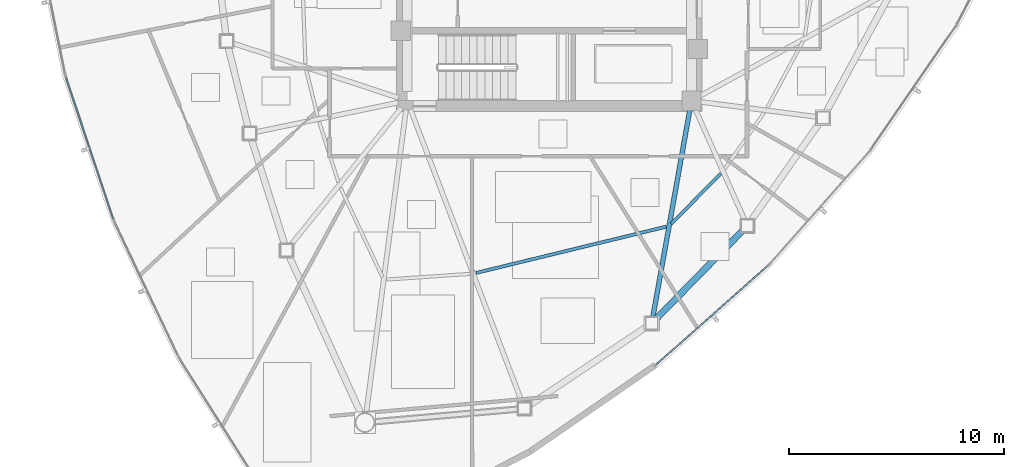
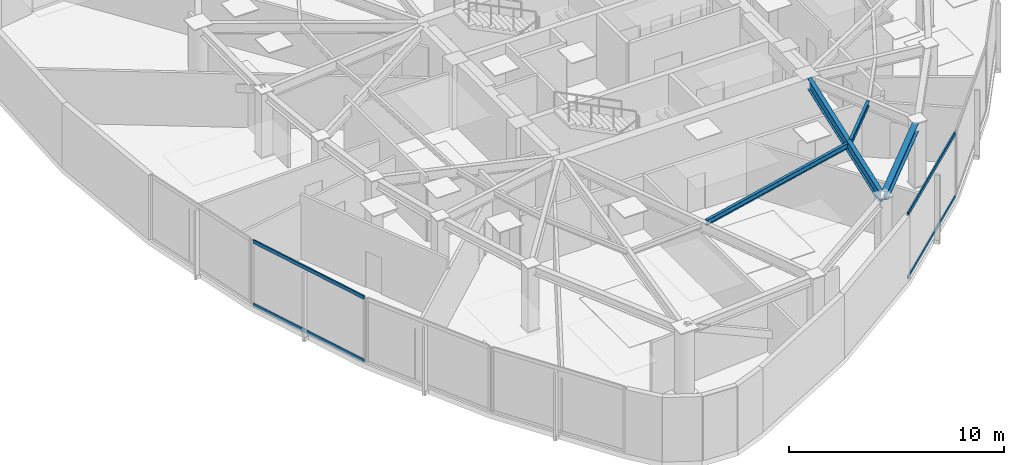
# One storey, part 3 of 15: 4 beams, 4 members, 2 elements without a shape of their own.
"""IFC4 building model written with IfcOpenShell, lengths in metres."""

from ifc_helpers import new_model, si_unit, direction, frame, origin, origin_2d, place, context, subcontext, project, spatial, hollow_rectangle, i_section, extrude, source, transform, mapped, material, layer, layer_set, material_profile, profile_set, type_object, type_shapes, element, aggregate, save


model = new_model("IFC4")

# Units and contexts
model_context = context("Model", 3, precision=1e-05, world=origin(), true_north=direction((0.0, 1.0)))
body_context = subcontext(model_context, "Body", "Model", "MODEL_VIEW")
ifc_project = project(units=[si_unit("LENGTHUNIT", "METRE"), si_unit("AREAUNIT", "SQUARE_METRE"), si_unit("VOLUMEUNIT", "CUBIC_METRE"), si_unit("PLANEANGLEUNIT", "RADIAN"), si_unit("MASSUNIT", "GRAM", prefix="KILO")], contexts=[model_context])

# Site, building, storey
site_placement = place(None, origin())
site = spatial("IfcSite", under=ifc_project, at=site_placement, CompositionType="ELEMENT")
building_placement = place(site_placement, origin())
building = spatial("IfcBuilding", under=site, at=building_placement, Name="Tavelor Broadcast Tower", CompositionType="ELEMENT")
storey_placement = place(building_placement, frame((0.0, 0.0, 230.050048828125)))
storey = spatial("IfcBuildingStorey", under=building, at=storey_placement, Name="L54", CompositionType="ELEMENT", Elevation=230.050048828125)

# Beams
ifc_material_1 = material(Name="Steel S355", Category="steel")
ifc_material_profile_1 = material_profile(ifc_material_1, i_section(OverallWidth=0.14990234375, OverallDepth=0.300048828125, WebThickness=0.007080078125, FlangeThickness=0.0107421875, at=origin_2d()), Name="IPE 300")
ifc_profile_set_1 = profile_set([ifc_material_profile_1], Name="Steel S355")
beam_type_1 = type_object("IfcBeamType", Name="Composite Floor Joist T5 IPE 300", PredefinedType="JOIST", material=ifc_profile_set_1)
beam_1_placement = place(storey_placement, frame((46.59423828125, 30.80078125, 3.5), z_axis=(0.971661934331, 0.236374883124, 0.0), x_axis=(-0.236374883124, 0.971661934331, 0.0)))
element("IfcBeam", 1, at=beam_1_placement, inside=storey, type_object=beam_type_1, Name="L54 Secondary Composite Floor Joist 08", PredefinedType="JOIST", context=body_context, shape_type="SweptSolid", body=[
    extrude(i_section(OverallWidth=0.14990234375, OverallDepth=0.300048828125, WebThickness=0.007080078125, FlangeThickness=0.0107421875, at=origin_2d()), origin(), (0.0, 0.0, 1.0), 9.089111328125),
])
beam_2_placement = place(storey_placement, frame((55.6591796875, 33.081298828125, 3.5), z_axis=(0.702295555333, 0.711885491465, 0.0), x_axis=(-0.711885491465, 0.702295555333, 0.0)))
element("IfcBeam", 2, at=beam_2_placement, inside=storey, type_object=beam_type_1, Name="L54 Secondary Composite Floor Joist 09", PredefinedType="JOIST", context=body_context, shape_type="SweptSolid", body=[
    extrude(i_section(OverallWidth=0.14990234375, OverallDepth=0.300048828125, WebThickness=0.007080078125, FlangeThickness=0.0107421875, at=origin_2d()), origin(), (0.0, 0.0, 1.0), 3.2841796875),
])
ifc_material_profile_2 = material_profile(ifc_material_1, i_section(OverallWidth=0.300048828125, OverallDepth=0.489990234375, WebThickness=0.011962890625, FlangeThickness=0.02294921875, at=origin_2d()), Name="HEA 500")
ifc_profile_set_2 = profile_set([ifc_material_profile_2], Name="Steel S355")
beam_type_2 = type_object("IfcBeamType", Name="Perimeter Spandrel Beam T5 HEA 500", PredefinedType="SPANDREL", material=ifc_profile_set_2)
beam_3_placement = place(storey_placement, frame((54.955810546875, 28.667236328125, 3.405029296875), z_axis=(0.70018873327, 0.713957798334, 0.0), x_axis=(-0.713957798334, 0.70018873327, 0.0)))
element("IfcBeam", 3, at=beam_3_placement, inside=storey, type_object=beam_type_2, Name="L54 Framed-Tube Ring Spandrel 09", PredefinedType="SPANDREL", context=body_context, shape_type="SweptSolid", body=[
    extrude(i_section(OverallWidth=0.300048828125, OverallDepth=0.489990234375, WebThickness=0.011962890625, FlangeThickness=0.02294921875, at=origin_2d()), origin(), (0.0, 0.0, 1.0), 5.7626953125),
])
ifc_material_profile_3 = material_profile(ifc_material_1, i_section(OverallWidth=0.219970703125, OverallDepth=0.60009765625, WebThickness=0.011962890625, FlangeThickness=0.01904296875, at=origin_2d()), Name="IPE 600")
ifc_profile_set_3 = profile_set([ifc_material_profile_3], Name="Steel S355")
beam_type_3 = type_object("IfcBeamType", Name="Radial Floor Girder T5 IPE 600", PredefinedType="BEAM", material=ifc_profile_set_3)
beam_4_placement = place(storey_placement, frame((56.524169921875, 38.374755859375, 3.349853515625), z_axis=(-0.175781136437, -0.984429272255, 0.0), x_axis=(0.984429272255, -0.175781136437, 0.0)))
element("IfcBeam", 4, at=beam_4_placement, inside=storey, type_object=beam_type_3, Name="L54 Radial Primary Floor Girder 09", PredefinedType="BEAM", context=body_context, shape_type="SweptSolid", body=[
    extrude(i_section(OverallWidth=0.219970703125, OverallDepth=0.60009765625, WebThickness=0.011962890625, FlangeThickness=0.01904296875, at=origin_2d()), origin(), (0.0, 0.0, 1.0), 9.781982421875),
])

# Curtain wall, members
ifc_material_2 = material(Name="Architectural Anodized Aluminium", Category="aluminium")
ifc_layer = layer(ifc_material_2, 0.199951171875)
ifc_layer_set = layer_set([ifc_layer], Name="Architectural Anodized Aluminium")
curtain_wall_type = type_object("IfcCurtainWallType", Name="Tower High-Zone Triple-Glazed Curtain Wall CW04", PredefinedType="NOTDEFINED", material=ifc_layer_set)
curtain_wall_1_placement = place(storey_placement, origin())
curtain_wall_1 = element("IfcCurtainWall", 5, at=curtain_wall_1_placement, inside=storey, type_object=curtain_wall_type, Name="L54 Curtain Wall CW04 Run 581", PredefinedType="NOTDEFINED")
ifc_material_profile_4 = material_profile(ifc_material_2, hollow_rectangle(XDim=0.070068359375, YDim=0.199951171875, WallThickness=0.02197265625, at=origin_2d()), Name="RHS 70x200x22")
ifc_profile_set_4 = profile_set([ifc_material_profile_4], Name="Architectural Anodized Aluminium")
member_type = type_object("IfcMemberType", Name="CW04 Extruded Aluminium Transom 70x200", PredefinedType="USERDEFINED", material=ifc_profile_set_4)
shared_shape_1 = source(origin(), body_context, "Body", "SweptSolid", [
    extrude(hollow_rectangle(XDim=0.070068359375, YDim=0.199951171875, WallThickness=0.02197265625, at=origin_2d()), origin(), (0.0, 0.0, 1.0), 6.9130859375),
])
member_1_placement = place(storey_placement, frame((54.968505859375, 26.552978515625, 0.034912109375), z_axis=(0.748662797741, 0.662950990103, 0.0), x_axis=(-0.662950990103, 0.748662797741, 0.0)))
member_1 = element("IfcMember", 6, at=member_1_placement, type_object=member_type, Name="CW04 transom 1.1", ObjectType="TRANSOM", PredefinedType="USERDEFINED", context=body_context, shape_type="MappedRepresentation", body=[
    mapped(shared_shape_1, transform((0.0, 0.0, 0.0), scale=1.0)),
])
member_2_placement = place(storey_placement, frame((54.968505859375, 26.552978515625, 3.614990234375), z_axis=(0.748662797741, 0.662950990103, 0.0), x_axis=(-0.662950990103, 0.748662797741, 0.0)))
member_2 = element("IfcMember", 7, at=member_2_placement, type_object=member_type, Name="CW04 transom 1.2", ObjectType="TRANSOM", PredefinedType="USERDEFINED", context=body_context, shape_type="MappedRepresentation", body=[
    mapped(shared_shape_1, transform((0.0, 0.0, 0.0), scale=1.0)),
])
aggregate(curtain_wall_1, [member_1, member_2])

curtain_wall_2_placement = place(storey_placement, origin())
curtain_wall_2 = element("IfcCurtainWall", 8, at=curtain_wall_2_placement, inside=storey, type_object=curtain_wall_type, Name="L54 Curtain Wall CW04 Run 578", PredefinedType="NOTDEFINED")
shared_shape_2 = source(origin(), body_context, "Body", "SweptSolid", [
    extrude(hollow_rectangle(XDim=0.070068359375, YDim=0.199951171875, WallThickness=0.02197265625, at=origin_2d()), origin(), (0.0, 0.0, 1.0), 6.89794921875),
])
type_shapes(member_type, [shared_shape_1, shared_shape_2])
member_3_placement = place(storey_placement, frame((27.565185546875, 39.865478515625, 0.034912109375), z_axis=(0.316907226856, -0.948456540684, 0.0), x_axis=(0.948456540684, 0.316907226856, 0.0)))
member_3 = element("IfcMember", 9, at=member_3_placement, type_object=member_type, Name="CW04 transom 1.1", ObjectType="TRANSOM", PredefinedType="USERDEFINED", context=body_context, shape_type="MappedRepresentation", body=[
    mapped(shared_shape_2, transform((0.0, 0.0, 0.0), scale=1.0)),
])
member_4_placement = place(storey_placement, frame((27.565185546875, 39.865478515625, 3.614990234375), z_axis=(0.316907226856, -0.948456540684, 0.0), x_axis=(0.948456540684, 0.316907226856, 0.0)))
member_4 = element("IfcMember", 10, at=member_4_placement, type_object=member_type, Name="CW04 transom 1.2", ObjectType="TRANSOM", PredefinedType="USERDEFINED", context=body_context, shape_type="MappedRepresentation", body=[
    mapped(shared_shape_2, transform((0.0, 0.0, 0.0), scale=1.0)),
])
aggregate(curtain_wall_2, [member_3, member_4])

save(model, "model.ifc")
